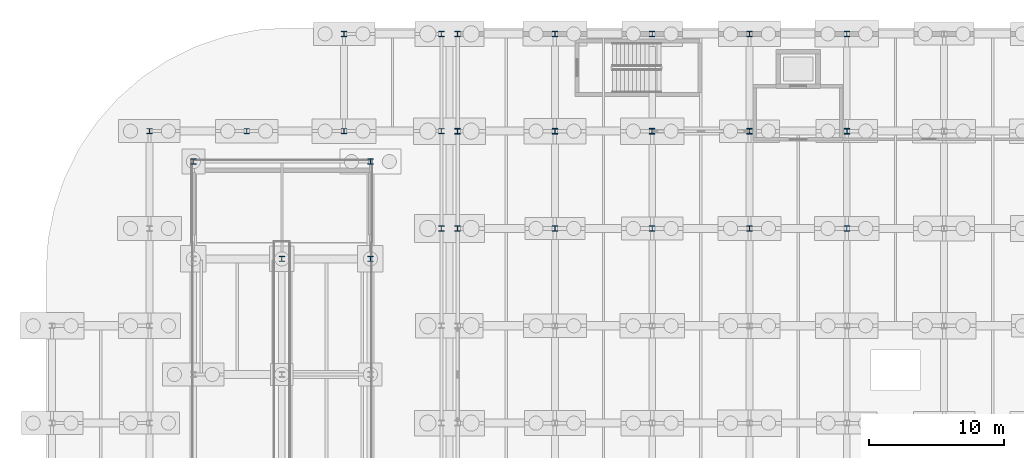
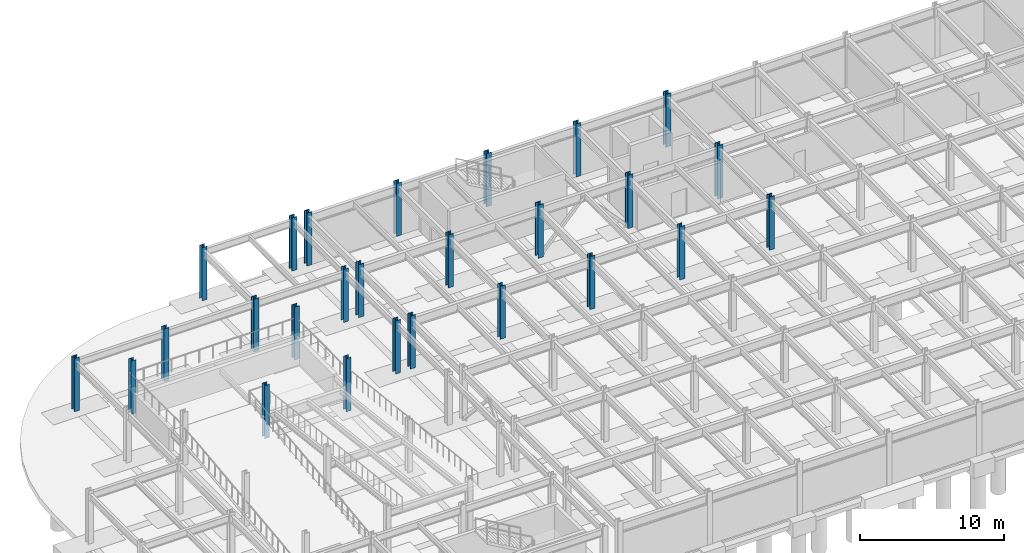
# One storey, part 19 of 54: 26 columns.
"""IFC4 building model written with IfcOpenShell, lengths in metres."""

from ifc_helpers import new_model, si_unit, direction, frame, origin, origin_2d, place, context, subcontext, project, spatial, i_section, extrude, material, material_profile, profile_set, type_object, element, save


model = new_model("IFC4")

# Units and contexts
model_context = context("Model", 3, precision=1e-05, world=origin(), true_north=direction((0.0, 1.0)))
body_context = subcontext(model_context, "Body", "Model", "MODEL_VIEW")
ifc_project = project(units=[si_unit("LENGTHUNIT", "METRE"), si_unit("AREAUNIT", "SQUARE_METRE"), si_unit("VOLUMEUNIT", "CUBIC_METRE"), si_unit("PLANEANGLEUNIT", "RADIAN"), si_unit("MASSUNIT", "GRAM", prefix="KILO")], contexts=[model_context])

# Site, building, storey
site_placement = place(None, origin())
site = spatial("IfcSite", under=ifc_project, at=site_placement, CompositionType="ELEMENT")
building_placement = place(site_placement, origin())
building = spatial("IfcBuilding", under=site, at=building_placement, Name="Vaelcorin Mobility Hub", CompositionType="ELEMENT")
storey_placement = place(building_placement, frame((0.0, 0.0, -4.5)))
storey = spatial("IfcBuildingStorey", under=building, at=storey_placement, Name="B1", CompositionType="ELEMENT", Elevation=-4.5)

# Columns
ifc_material = material(Name="Steel ASTM A992 Grade 50", Category="steel")
ifc_material_profile_1 = material_profile(ifc_material, i_section(OverallWidth=0.39599609375, OverallDepth=0.381103515625, WebThickness=0.018798828125, FlangeThickness=0.0302734375, FilletRadius=0.014892578125, at=origin_2d()), Name="W14X159")
ifc_profile_set_1 = profile_set([ifc_material_profile_1], Name="Steel ASTM A992 Grade 50")
column_type_1 = type_object("IfcColumnType", Name="COL-W14X159", PredefinedType="COLUMN", material=ifc_profile_set_1)
for number, where, z_axis, x_axis, name in (
    (1, (23.0, 103.35009765625, 0.0), (0.0, 0.0, 1.0), (1.0, 0.0, 0.0), "Column V2W-RDRM-MN B1"),
    (2, (29.550048828125, 103.35009765625, 0.0), (0.0, 0.0, 1.0), (1.0, 0.0, 0.0), "Column V2W-RDRM-EN B1"),
    (3, (16.449951171875, 110.550048828125, 0.0), (0.0, 0.0, 1.0), (1.0, 0.0, 0.0), "Column V2W-RDRM-WB B1"),
    (4, (29.550048828125, 110.550048828125, 0.0), (0.0, 0.0, 1.0), (1.0, 0.0, 0.0), "Column V2W-RDRM-EB B1"),
):
    element("IfcColumn", number, at=place(storey_placement, frame(where, z_axis=z_axis, x_axis=x_axis)), inside=storey, type_object=column_type_1, Name=name, PredefinedType="COLUMN", context=body_context, shape_type="SweptSolid", body=[
        extrude(i_section(OverallWidth=0.39599609375, OverallDepth=0.381103515625, WebThickness=0.018798828125, FlangeThickness=0.0302734375, FilletRadius=0.014892578125, at=origin_2d()), origin(), (0.0, 0.0, 1.0), 4.5),
    ])
ifc_material_profile_2 = material_profile(ifc_material, i_section(OverallWidth=0.39892578125, OverallDepth=0.39404296875, WebThickness=0.022705078125, FlangeThickness=0.03662109375, FilletRadius=0.014892578125, at=origin_2d()), Name="W14X193")
ifc_profile_set_2 = profile_set([ifc_material_profile_2], Name="Steel ASTM A992 Grade 50")
column_type_2 = type_object("IfcColumnType", Name="COL-W14X193", PredefinedType="COLUMN", material=ifc_profile_set_2)
for number, where, z_axis, x_axis, name in (
    (5, (13.199951171875, 112.800048828125, 0.0), (0.0, 0.0, 1.0), (1.0, 0.0, 0.0), "Column V2W-G2x6 B1"),
    (6, (20.39990234375, 112.800048828125, 0.0), (0.0, 0.0, 1.0), (1.0, 0.0, 0.0), "Column V2W-G3x6 B1"),
    (7, (27.60009765625, 112.800048828125, 0.0), (0.0, 0.0, 1.0), (1.0, 0.0, 0.0), "Column V2W-G4x6 B1"),
    (8, (27.60009765625, 120.0, 0.0), (0.0, 0.0, 1.0), (1.0, 0.0, 0.0), "Column V2W-G4x7 B1"),
    (9, (34.800048828125, 105.60009765625, 0.0), (0.0, 0.0, 1.0), (1.0, 0.0, 0.0), "Column V2W-G5x5 B1"),
    (10, (34.800048828125, 112.800048828125, 0.0), (0.0, 0.0, 1.0), (1.0, 0.0, 0.0), "Column V2W-G5x6 B1"),
    (11, (34.800048828125, 120.0, 0.0), (0.0, 0.0, 1.0), (1.0, 0.0, 0.0), "Column V2W-G5x7 B1"),
):
    element("IfcColumn", number, at=place(storey_placement, frame(where, z_axis=z_axis, x_axis=x_axis)), inside=storey, type_object=column_type_2, Name=name, PredefinedType="COLUMN", context=body_context, shape_type="SweptSolid", body=[
        extrude(i_section(OverallWidth=0.39892578125, OverallDepth=0.39404296875, WebThickness=0.022705078125, FlangeThickness=0.03662109375, FilletRadius=0.014892578125, at=origin_2d()), origin(), (0.0, 0.0, 1.0), 4.5),
    ])
ifc_material_profile_3 = material_profile(ifc_material, i_section(OverallWidth=0.404052734375, OverallDepth=0.406005859375, WebThickness=0.027099609375, FlangeThickness=0.043701171875, FilletRadius=0.014892578125, at=origin_2d()), Name="W14X233")
ifc_profile_set_3 = profile_set([ifc_material_profile_3], Name="Steel ASTM A992 Grade 50")
column_type_3 = type_object("IfcColumnType", Name="COL-W14X233", PredefinedType="COLUMN", material=ifc_profile_set_3)
for number, where, z_axis, x_axis, name in (
    (12, (36.0, 105.60009765625, 0.0), (0.0, 0.0, 1.0), (1.0, 0.0, 0.0), "Column V4-X01Y05 B1"),
    (13, (36.0, 120.0, 0.0), (0.0, 0.0, 1.0), (1.0, 0.0, 0.0), "Column V4-X01Y07 B1"),
    (14, (43.199951171875, 105.60009765625, 0.0), (0.0, 0.0, 1.0), (1.0, 0.0, 0.0), "Column V4-X02Y05 B1"),
    (15, (43.199951171875, 120.0, 0.0), (0.0, 0.0, 1.0), (1.0, 0.0, 0.0), "Column V4-X02Y07 B1"),
    (16, (50.39990234375, 105.60009765625, 0.0), (0.0, 0.0, 1.0), (1.0, 0.0, 0.0), "Column V4-X03Y05 B1"),
    (17, (50.39990234375, 120.0, 0.0), (0.0, 0.0, 1.0), (1.0, 0.0, 0.0), "Column V4-X03Y07 B1"),
    (18, (57.60009765625, 105.60009765625, 0.0), (0.0, 0.0, 1.0), (1.0, 0.0, 0.0), "Column V4-X04Y05 B1"),
    (19, (57.60009765625, 120.0, 0.0), (0.0, 0.0, 1.0), (1.0, 0.0, 0.0), "Column V4-X04Y07 B1"),
    (20, (64.800048828125, 105.60009765625, 0.0), (0.0, 0.0, 1.0), (1.0, 0.0, 0.0), "Column V4-X05Y05 B1"),
    (21, (64.800048828125, 120.0, 0.0), (0.0, 0.0, 1.0), (1.0, 0.0, 0.0), "Column V4-X05Y07 B1"),
):
    element("IfcColumn", number, at=place(storey_placement, frame(where, z_axis=z_axis, x_axis=x_axis)), inside=storey, type_object=column_type_3, Name=name, PredefinedType="COLUMN", context=body_context, shape_type="SweptSolid", body=[
        extrude(i_section(OverallWidth=0.404052734375, OverallDepth=0.406005859375, WebThickness=0.027099609375, FlangeThickness=0.043701171875, FilletRadius=0.014892578125, at=origin_2d()), origin(), (0.0, 0.0, 1.0), 4.5),
    ])
ifc_material_profile_4 = material_profile(ifc_material, i_section(OverallWidth=0.408935546875, OverallDepth=0.424072265625, WebThickness=0.03271484375, FlangeThickness=0.052490234375, FilletRadius=0.014892578125, at=origin_2d()), Name="W14X283")
ifc_profile_set_4 = profile_set([ifc_material_profile_4], Name="Steel ASTM A992 Grade 50")
column_type_4 = type_object("IfcColumnType", Name="COL-W14X283", PredefinedType="COLUMN", material=ifc_profile_set_4)
for number, where, z_axis, x_axis, name in (
    (22, (36.0, 112.800048828125, 0.0), (0.0, 0.0, 1.0), (1.0, 0.0, 0.0), "Column V4-X01Y06 B1"),
    (23, (43.199951171875, 112.800048828125, 0.0), (0.0, 0.0, 1.0), (1.0, 0.0, 0.0), "Column V4-X02Y06 B1"),
    (24, (50.39990234375, 112.800048828125, 0.0), (0.0, 0.0, 1.0), (1.0, 0.0, 0.0), "Column V4-X03Y06 B1"),
    (25, (57.60009765625, 112.800048828125, 0.0), (0.0, 0.0, 1.0), (1.0, 0.0, 0.0), "Column V4-X04Y06 B1"),
    (26, (64.800048828125, 112.800048828125, 0.0), (0.0, 0.0, 1.0), (1.0, 0.0, 0.0), "Column V4-X05Y06 B1"),
):
    element("IfcColumn", number, at=place(storey_placement, frame(where, z_axis=z_axis, x_axis=x_axis)), inside=storey, type_object=column_type_4, Name=name, PredefinedType="COLUMN", context=body_context, shape_type="SweptSolid", body=[
        extrude(i_section(OverallWidth=0.408935546875, OverallDepth=0.424072265625, WebThickness=0.03271484375, FlangeThickness=0.052490234375, FilletRadius=0.014892578125, at=origin_2d()), origin(), (0.0, 0.0, 1.0), 4.5),
    ])

save(model, "model.ifc")
